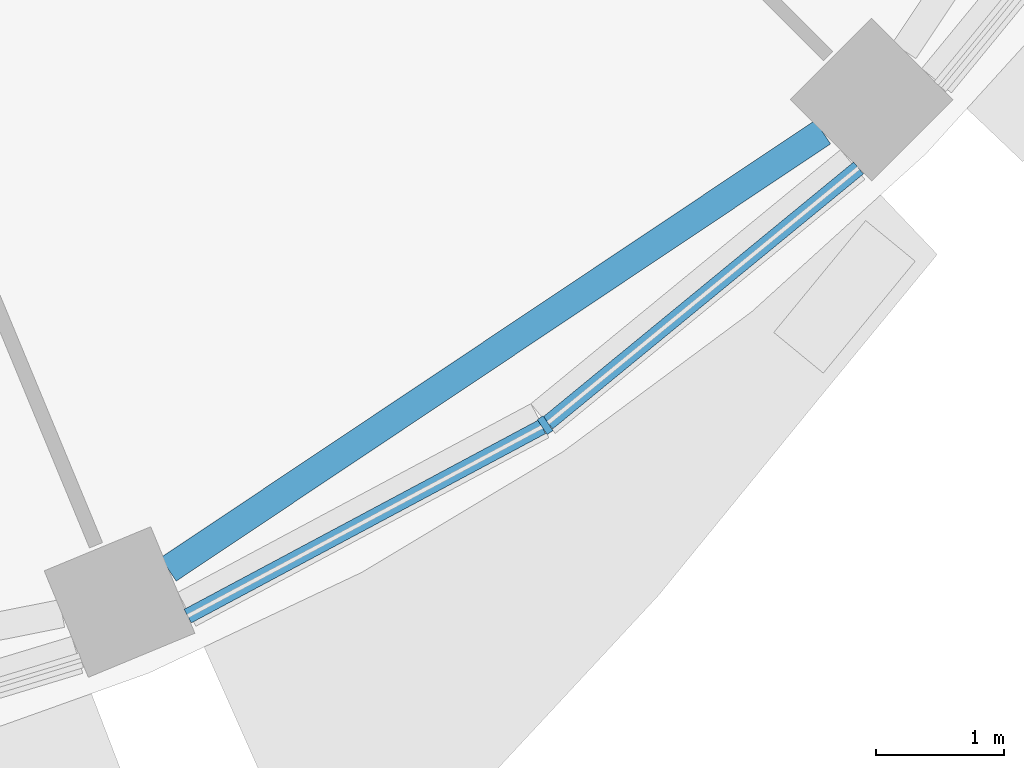
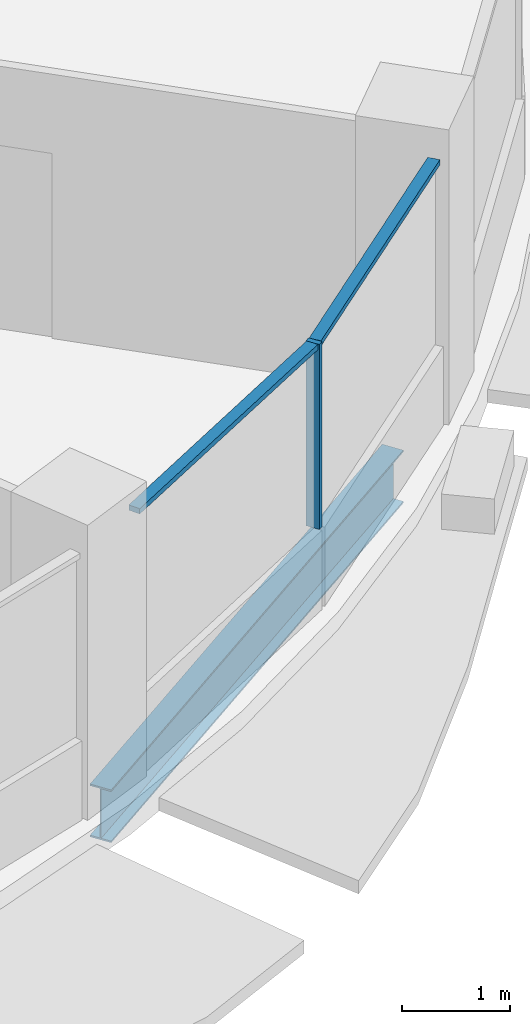
# One storey, part 3 of 15: 3 members, 1 beam, 1 element without a shape of its own.
"""IFC4 building model written with IfcOpenShell, lengths in metres."""

from ifc_helpers import new_model, si_unit, direction, frame, origin, origin_2d, place, context, subcontext, project, spatial, rectangle, i_section, extrude, material, material_profile, profile_set, type_object, element, aggregate, save


model = new_model("IFC4")

# Units and contexts
model_context = context("Model", 3, precision=1e-05, world=origin(), true_north=direction((0.0, 1.0)))
body_context = subcontext(model_context, "Body", "Model", "MODEL_VIEW")
ifc_project = project(units=[si_unit("LENGTHUNIT", "METRE"), si_unit("AREAUNIT", "SQUARE_METRE"), si_unit("VOLUMEUNIT", "CUBIC_METRE"), si_unit("PLANEANGLEUNIT", "RADIAN"), si_unit("MASSUNIT", "GRAM", prefix="KILO")], contexts=[model_context])

# Site, building, storey
site_placement = place(None, origin())
site = spatial("IfcSite", under=ifc_project, at=site_placement, CompositionType="ELEMENT")
building_placement = place(site_placement, origin())
building = spatial("IfcBuilding", under=site, at=building_placement, Name="Polderwave Tower", CompositionType="ELEMENT")
storey_placement = place(building_placement, frame((0.0, 0.0, 174.25)))
storey = spatial("IfcBuildingStorey", under=building, at=storey_placement, Name="L46", CompositionType="ELEMENT", Elevation=174.25)

# Curtain wall, members
ifc_material_1 = material(Name="Aluminium 6063-T6 and glass", Category="aluminium")
curtain_wall_type = type_object("IfcCurtainWallType", Name="Office ribbon glazing wall", PredefinedType="NOTDEFINED", material=ifc_material_1)
curtain_wall_placement = place(storey_placement, origin())
curtain_wall = element("IfcCurtainWall", 1, at=curtain_wall_placement, inside=storey, type_object=curtain_wall_type, Name="CW3 L46 13", PredefinedType="NOTDEFINED")
ifc_material_2 = material(Name="Aluminium 6063-T6", Category="aluminium")
ifc_material_profile_1 = material_profile(ifc_material_2, rectangle(XDim=0.139892578125, YDim=0.054931640625, at=origin_2d()), Name="AL 55x140")
ifc_profile_set_1 = profile_set([ifc_material_profile_1], Name="Aluminium 6063-T6")
member_type_1 = type_object("IfcMemberType", Name="Office ribbon glazing mullion 55x140", PredefinedType="MULLION", material=ifc_profile_set_1)
member_1_placement = place(storey_placement, frame((10.25, -15.341064453125, 0.89990234375), z_axis=(0.0, 0.0, 1.0), x_axis=(-0.555454132545, 0.831547176436, 0.0)))
member_1 = element("IfcMember", 2, at=member_1_placement, type_object=member_type_1, Name="CW3 mullion 1", PredefinedType="MULLION", context=body_context, shape_type="SweptSolid", body=[
    extrude(rectangle(XDim=0.139892578125, YDim=0.054931640625, at=origin_2d()), origin(), (0.0, 0.0, 1.0), 2.10009765625),
])
ifc_material_profile_2 = material_profile(ifc_material_2, rectangle(XDim=0.1201171875, YDim=0.06005859375, at=origin_2d()), Name="AL 60x120")
ifc_profile_set_2 = profile_set([ifc_material_profile_2], Name="Aluminium 6063-T6")
member_type_2 = type_object("IfcMemberType", Name="Office ribbon glazing transom 60x120", PredefinedType="USERDEFINED", material=ifc_profile_set_2)
member_2_placement = place(storey_placement, frame((7.458984375, -16.83203125, 2.969970703125), z_axis=(0.882020915121, 0.471210255925, 0.0), x_axis=(-0.471210255925, 0.882020915121, 0.0)))
member_2 = element("IfcMember", 3, at=member_2_placement, type_object=member_type_2, Name="CW3 transom 1", ObjectType="TRANSOM", PredefinedType="USERDEFINED", context=body_context, shape_type="SweptSolid", body=[
    extrude(rectangle(XDim=0.1201171875, YDim=0.06005859375, at=origin_2d()), origin(), (0.0, 0.0, 1.0), 3.13671875),
])
member_3_placement = place(storey_placement, frame((10.271240234375, -15.323486328125, 2.969970703125), z_axis=(0.773058696079, 0.634334495686, 0.0), x_axis=(-0.634334495686, 0.773058696079, 0.0)))
member_3 = element("IfcMember", 4, at=member_3_placement, type_object=member_type_2, Name="CW3 transom 2", ObjectType="TRANSOM", PredefinedType="USERDEFINED", context=body_context, shape_type="SweptSolid", body=[
    extrude(rectangle(XDim=0.1201171875, YDim=0.06005859375, at=origin_2d()), origin(), (0.0, 0.0, 1.0), 3.137939453125),
])
aggregate(curtain_wall, [member_1, member_2, member_3])

# Beam
ifc_material_3 = material(Name="Steel S355", Category="steel")
ifc_material_profile_3 = material_profile(ifc_material_3, i_section(OverallWidth=0.219970703125, OverallDepth=0.60009765625, WebThickness=0.011962890625, FlangeThickness=0.01904296875, at=origin_2d()), Name="IPE 600")
ifc_profile_set_3 = profile_set([ifc_material_profile_3], Name="Steel S355")
beam_type = type_object("IfcBeamType", Name="RING BEAM IPE 600", PredefinedType="BEAM", material=ifc_profile_set_3)
beam_placement = place(storey_placement, frame((7.30810546875, -16.46728515625, -0.64990234375), z_axis=(0.831469141634, 0.555570937424, 0.0), x_axis=(-0.555570937424, 0.831469141634, 0.0)))
element("IfcBeam", 5, at=beam_placement, inside=storey, type_object=beam_type, Name="ST-RB-L46-13", PredefinedType="BEAM", context=body_context, shape_type="SweptSolid", body=[
    extrude(i_section(OverallWidth=0.219970703125, OverallDepth=0.60009765625, WebThickness=0.011962890625, FlangeThickness=0.01904296875, at=origin_2d()), origin(), (0.0, 0.0, 1.0), 6.144775390625),
])

save(model, "model.ifc")
